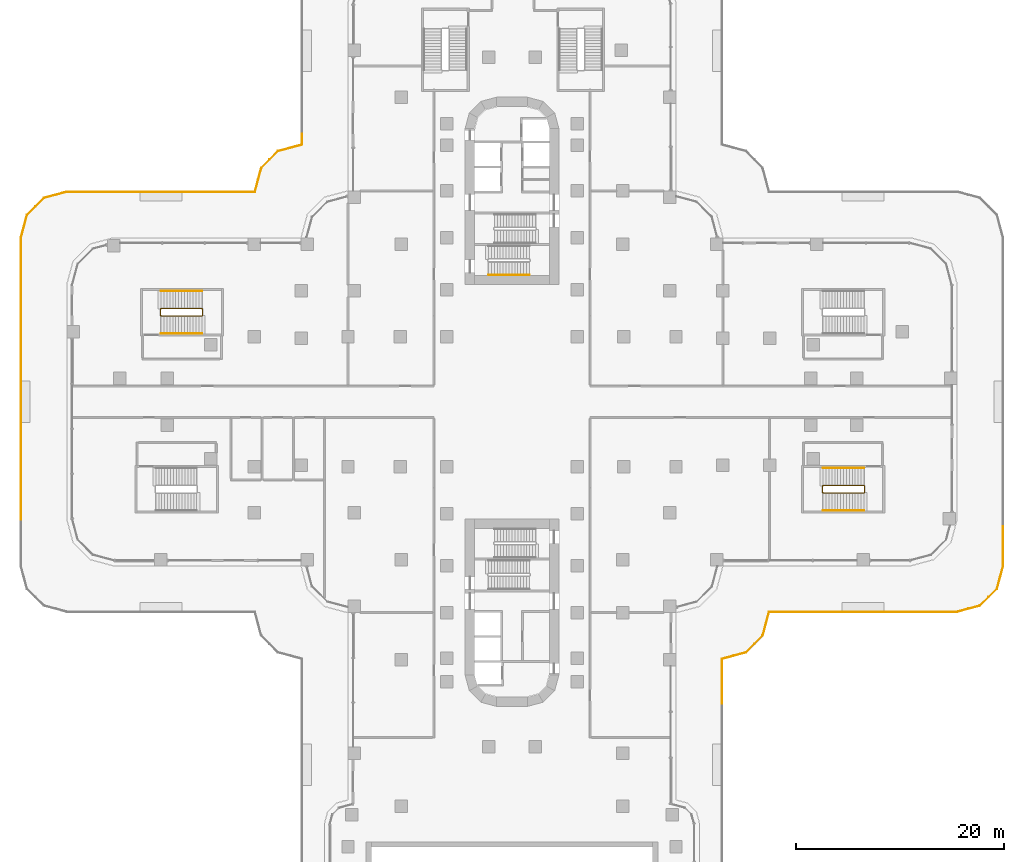
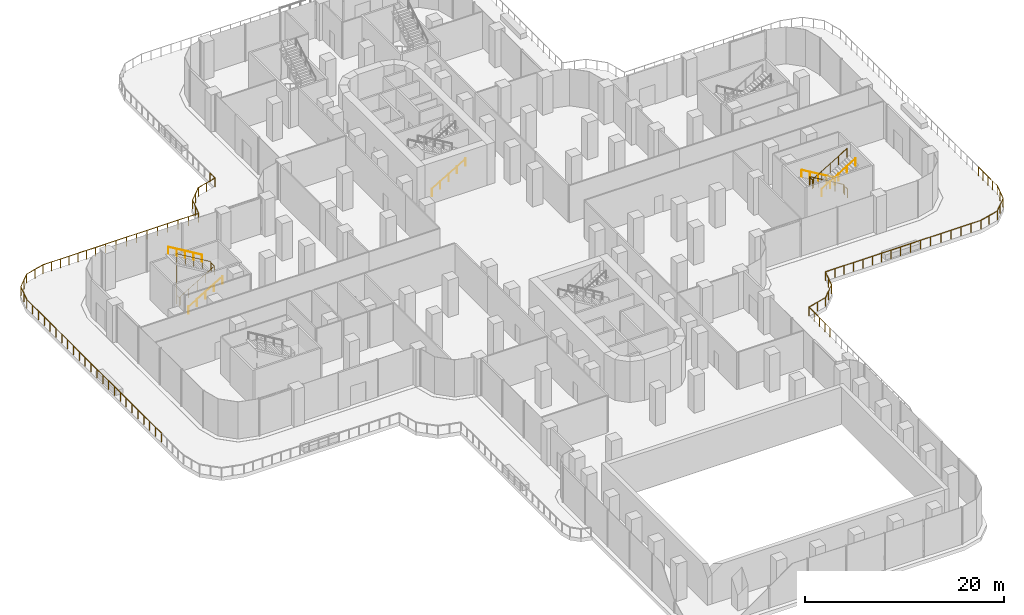
# One storey, part 24 of 27: 12 railings.
"""IFC4 building model written with IfcOpenShell, lengths in metres."""

from ifc_helpers import new_model, si_unit, direction, frame, origin, origin_2d, place, context, subcontext, project, spatial, circle, extrude, material, type_object, element, save


model = new_model("IFC4")

# Units and contexts
model_context = context("Model", 3, precision=1e-05, world=origin(), true_north=direction((0.0, 1.0)))
body_context = subcontext(model_context, "Body", "Model", "MODEL_VIEW")
ifc_project = project(units=[si_unit("LENGTHUNIT", "METRE"), si_unit("AREAUNIT", "SQUARE_METRE"), si_unit("VOLUMEUNIT", "CUBIC_METRE"), si_unit("PLANEANGLEUNIT", "RADIAN"), si_unit("MASSUNIT", "GRAM", prefix="KILO")], contexts=[model_context])

# Site, building, storey
site_placement = place(None, origin())
site = spatial("IfcSite", under=ifc_project, at=site_placement, CompositionType="ELEMENT")
building_placement = place(site_placement, origin())
building = spatial("IfcBuilding", under=site, at=building_placement, Name="Zarbagh Exchange Tower", CompositionType="ELEMENT")
storey_placement = place(building_placement, frame((0.0, 0.0, 17.0)))
storey = spatial("IfcBuildingStorey", under=building, at=storey_placement, Name="L03", CompositionType="ELEMENT", Elevation=17.0)

# Railings
ifc_material_1 = material(Name="Stainless steel", Category="steel")
railing_type_1 = type_object("IfcRailingType", Name="Stair guard 1100 mm", PredefinedType="GUARDRAIL", material=ifc_material_1)
railing_1_placement = place(storey_placement, frame((-29.72998046875, 8.300048828125, 2.5)))
element("IfcRailing", 1, at=railing_1_placement, inside=storey, type_object=railing_type_1, Name="PS5 stair guard 1", PredefinedType="GUARDRAIL", context=body_context, shape_type="SweptSolid", body=[
    extrude(circle(Radius=0.02392578125, at=origin_2d()), frame((0.0, 0.0, 1.076171875), z_axis=(0.0, 1.0, 0.0), x_axis=(-1.0, 0.0, 0.0)), (0.0, 0.0, 1.0), 0.599853515625),
    extrude(circle(Radius=0.02392578125, at=origin_2d()), frame((0.0, 0.599853515625, 1.076171875), z_axis=(-0.27628659633, 0.27628659633, 0.920506074601), x_axis=(-0.707106781187, -0.707106781187, 0.0)), (0.0, 0.0, 1.0), 0.18115234375),
    extrude(circle(Radius=0.02392578125, at=origin_2d()), frame((-0.050048828125, 0.64990234375, 1.24267578125), z_axis=(-0.859296244711, 0.0, 0.511478214419), x_axis=(0.0, -1.0, 0.0)), (0.0, 0.0, 1.0), 4.561767578125),
    extrude(circle(Radius=0.02392578125, at=origin_2d()), frame((-3.969970703125, 0.64990234375, 3.576171875), z_axis=(-0.010008762843, -0.010008762843, -0.999899819648), x_axis=(0.707106781187, -0.707106781187, 0.0)), (0.0, 0.0, 1.0), 5.00048828125),
    extrude(circle(Radius=0.02392578125, at=origin_2d()), frame((-4.02001953125, 0.599853515625, -1.423828125), z_axis=(0.0, -1.0, 0.0), x_axis=(1.0, 0.0, 0.0)), (0.0, 0.0, 1.0), 0.599853515625),
    extrude(circle(Radius=0.02392578125, at=origin_2d()), frame((-4.02001953125, 0.0, -1.423828125), z_axis=(0.27628659633, -0.27628659633, 0.920506074601), x_axis=(0.707106781187, 0.707106781187, 0.0)), (0.0, 0.0, 1.0), 0.18115234375),
    extrude(circle(Radius=0.02392578125, at=origin_2d()), frame((-3.969970703125, -0.050048828125, -1.25732421875), z_axis=(0.859296244711, 0.0, 0.511478214419), x_axis=(0.0, 1.0, 0.0)), (0.0, 0.0, 1.0), 4.561767578125),
    extrude(circle(Radius=0.02099609375, at=origin_2d()), origin(), (0.0, 0.0, 1.0), 1.052001953125),
    extrude(circle(Radius=0.02099609375, at=origin_2d()), frame((0.0, 0.599853515625, 0.0)), (0.0, 0.0, 1.0), 1.052001953125),
    extrude(circle(Radius=0.02099609375, at=origin_2d()), frame((-0.050048828125, 0.64990234375, 0.166748046875)), (0.0, 0.0, 1.0), 1.052001953125),
    extrude(circle(Radius=0.02099609375, at=origin_2d()), frame((-1.030029296875, 0.64990234375, 0.75)), (0.0, 0.0, 1.0), 1.052001953125),
    extrude(circle(Radius=0.02099609375, at=origin_2d()), frame((-2.010009765625, 0.64990234375, 1.33349609375)), (0.0, 0.0, 1.0), 1.052001953125),
    extrude(circle(Radius=0.02099609375, at=origin_2d()), frame((-2.989990234375, 0.64990234375, 1.916748046875)), (0.0, 0.0, 1.0), 1.052001953125),
    extrude(circle(Radius=0.02099609375, at=origin_2d()), frame((-3.969970703125, 0.64990234375, 2.5)), (0.0, 0.0, 1.0), 1.052001953125),
    extrude(circle(Radius=0.02099609375, at=origin_2d()), frame((-3.97998046875, 0.639892578125, 1.5)), (0.0, 0.0, 1.0), 1.052001953125),
    extrude(circle(Radius=0.02099609375, at=origin_2d()), frame((-3.989990234375, 0.6298828125, 0.5)), (0.0, 0.0, 1.0), 1.052001953125),
    extrude(circle(Radius=0.02099609375, at=origin_2d()), frame((-4.0, 0.619873046875, -0.5)), (0.0, 0.0, 1.0), 1.052001953125),
    extrude(circle(Radius=0.02099609375, at=origin_2d()), frame((-4.010009765625, 0.60986328125, -1.5)), (0.0, 0.0, 1.0), 1.052001953125),
    extrude(circle(Radius=0.02099609375, at=origin_2d()), frame((-4.02001953125, 0.599853515625, -2.5)), (0.0, 0.0, 1.0), 1.052001953125),
    extrude(circle(Radius=0.02099609375, at=origin_2d()), frame((-4.02001953125, 0.0, -2.5)), (0.0, 0.0, 1.0), 1.052001953125),
    extrude(circle(Radius=0.02099609375, at=origin_2d()), frame((-3.969970703125, -0.050048828125, -2.333251953125)), (0.0, 0.0, 1.0), 1.052001953125),
    extrude(circle(Radius=0.02099609375, at=origin_2d()), frame((-2.989990234375, -0.050048828125, -1.75)), (0.0, 0.0, 1.0), 1.052001953125),
    extrude(circle(Radius=0.02099609375, at=origin_2d()), frame((-2.010009765625, -0.050048828125, -1.16650390625)), (0.0, 0.0, 1.0), 1.052001953125),
    extrude(circle(Radius=0.02099609375, at=origin_2d()), frame((-1.030029296875, -0.050048828125, -0.583251953125)), (0.0, 0.0, 1.0), 1.052001953125),
    extrude(circle(Radius=0.02099609375, at=origin_2d()), frame((-0.050048828125, -0.050048828125, 0.0)), (0.0, 0.0, 1.0), 1.052001953125),
])
railing_2_placement = place(storey_placement, frame((33.85009765625, -8.699951171875, 0.0)))
element("IfcRailing", 2, at=railing_2_placement, inside=storey, type_object=railing_type_1, Name="PS6 stair guard 1", PredefinedType="GUARDRAIL", context=body_context, shape_type="SweptSolid", body=[
    extrude(circle(Radius=0.02392578125, at=origin_2d()), frame((0.0, 0.0, 1.076171875), z_axis=(0.0, 1.0, 0.0), x_axis=(-1.0, 0.0, 0.0)), (0.0, 0.0, 1.0), 0.599853515625),
    extrude(circle(Radius=0.02392578125, at=origin_2d()), frame((0.0, 0.599853515625, 1.076171875), z_axis=(-0.27628659633, 0.27628659633, 0.920506074601), x_axis=(-0.707106781187, -0.707106781187, 0.0)), (0.0, 0.0, 1.0), 0.18115234375),
    extrude(circle(Radius=0.02392578125, at=origin_2d()), frame((-0.050048828125, 0.64990234375, 1.24267578125), z_axis=(-0.859310244771, 0.0, 0.511454693235), x_axis=(0.0, -1.0, 0.0)), (0.0, 0.0, 1.0), 4.56201171875),
    extrude(circle(Radius=0.02392578125, at=origin_2d()), frame((-3.97021484375, 0.64990234375, 3.576171875), z_axis=(-0.705375805398, -0.708833529934, 0.0), x_axis=(0.708833529934, -0.705375805398, 0.0)), (0.0, 0.0, 1.0), 0.070556640625),
    extrude(circle(Radius=0.02392578125, at=origin_2d()), frame((-4.02001953125, 0.599853515625, 3.576171875), z_axis=(0.0, -1.0, 0.0), x_axis=(1.0, 0.0, 0.0)), (0.0, 0.0, 1.0), 0.599853515625),
    extrude(circle(Radius=0.02392578125, at=origin_2d()), frame((-4.02001953125, 0.0, 3.576171875), z_axis=(0.275041040955, -0.276389281352, 0.920848191041), x_axis=(0.708833529934, 0.705375805398, 0.0)), (0.0, 0.0, 1.0), 0.18115234375),
    extrude(circle(Radius=0.02392578125, at=origin_2d()), frame((-3.97021484375, -0.050048828125, 3.74267578125), z_axis=(0.859310244771, 0.0, 0.511454693235), x_axis=(0.0, 1.0, 0.0)), (0.0, 0.0, 1.0), 4.56201171875),
    extrude(circle(Radius=0.02099609375, at=origin_2d()), origin(), (0.0, 0.0, 1.0), 1.052001953125),
    extrude(circle(Radius=0.02099609375, at=origin_2d()), frame((0.0, 0.599853515625, 0.0)), (0.0, 0.0, 1.0), 1.052001953125),
    extrude(circle(Radius=0.02099609375, at=origin_2d()), frame((-0.050048828125, 0.64990234375, 0.166748046875)), (0.0, 0.0, 1.0), 1.052001953125),
    extrude(circle(Radius=0.02099609375, at=origin_2d()), frame((-1.030029296875, 0.64990234375, 0.75)), (0.0, 0.0, 1.0), 1.052001953125),
    extrude(circle(Radius=0.02099609375, at=origin_2d()), frame((-2.01025390625, 0.64990234375, 1.33349609375)), (0.0, 0.0, 1.0), 1.052001953125),
    extrude(circle(Radius=0.02099609375, at=origin_2d()), frame((-2.990234375, 0.64990234375, 1.916748046875)), (0.0, 0.0, 1.0), 1.052001953125),
    extrude(circle(Radius=0.02099609375, at=origin_2d()), frame((-3.97021484375, 0.64990234375, 2.5)), (0.0, 0.0, 1.0), 1.052001953125),
    extrude(circle(Radius=0.02099609375, at=origin_2d()), frame((-4.02001953125, 0.599853515625, 2.5)), (0.0, 0.0, 1.0), 1.052001953125),
    extrude(circle(Radius=0.02099609375, at=origin_2d()), frame((-4.02001953125, 0.0, 2.5)), (0.0, 0.0, 1.0), 1.052001953125),
    extrude(circle(Radius=0.02099609375, at=origin_2d()), frame((-3.97021484375, -0.050048828125, 2.666748046875)), (0.0, 0.0, 1.0), 1.052001953125),
    extrude(circle(Radius=0.02099609375, at=origin_2d()), frame((-2.990234375, -0.050048828125, 3.25)), (0.0, 0.0, 1.0), 1.052001953125),
    extrude(circle(Radius=0.02099609375, at=origin_2d()), frame((-2.01025390625, -0.050048828125, 3.83349609375)), (0.0, 0.0, 1.0), 1.052001953125),
    extrude(circle(Radius=0.02099609375, at=origin_2d()), frame((-1.030029296875, -0.050048828125, 4.416748046875)), (0.0, 0.0, 1.0), 1.052001953125),
    extrude(circle(Radius=0.02099609375, at=origin_2d()), frame((-0.050048828125, -0.050048828125, 5.0)), (0.0, 0.0, 1.0), 1.052001953125),
])
railing_type_2 = type_object("IfcRailingType", Name="Stair handrail 900 mm", PredefinedType="HANDRAIL", material=ifc_material_1)
for number, where, name in (
    (3, (-2.25, 12.199951171875, 0.166748046875), "ST2 stair handrail 1"),
    (4, (-33.699951171875, 6.550048828125, 0.166748046875), "PS5 stair handrail 1"),
):
    element("IfcRailing", number, at=place(storey_placement, frame(where)), inside=storey, type_object=railing_type_2, Name=name, PredefinedType="HANDRAIL", context=body_context, shape_type="SweptSolid", body=[
        extrude(circle(Radius=0.02392578125, at=origin_2d()), frame((0.0, 0.0, 0.8759765625), z_axis=(0.859296244711, 0.0, 0.511478214419), x_axis=(0.0, 1.0, 0.0)), (0.0, 0.0, 1.0), 4.561767578125),
        extrude(circle(Radius=0.02099609375, at=origin_2d()), origin(), (0.0, 0.0, 1.0), 0.851806640625),
        extrude(circle(Radius=0.02099609375, at=origin_2d()), frame((0.97998046875, 0.0, 0.583251953125)), (0.0, 0.0, 1.0), 0.851806640625),
        extrude(circle(Radius=0.02099609375, at=origin_2d()), frame((1.9599609375, 0.0, 1.16650390625)), (0.0, 0.0, 1.0), 0.851806640625),
        extrude(circle(Radius=0.02099609375, at=origin_2d()), frame((2.93994140625, 0.0, 1.75)), (0.0, 0.0, 1.0), 0.851806640625),
        extrude(circle(Radius=0.02099609375, at=origin_2d()), frame((3.919921875, 0.0, 2.333251953125)), (0.0, 0.0, 1.0), 0.851806640625),
    ])
railing_3_placement = place(storey_placement, frame((-29.780029296875, 10.64990234375, 2.666748046875)))
element("IfcRailing", 5, at=railing_3_placement, inside=storey, type_object=railing_type_2, Name="PS5 stair handrail 2", PredefinedType="HANDRAIL", context=body_context, shape_type="SweptSolid", body=[
    extrude(circle(Radius=0.02392578125, at=origin_2d()), frame((0.0, 0.0, 0.8759765625), z_axis=(-0.859296244711, 0.0, 0.511478214419), x_axis=(0.0, -1.0, 0.0)), (0.0, 0.0, 1.0), 4.561767578125),
    extrude(circle(Radius=0.02099609375, at=origin_2d()), origin(), (0.0, 0.0, 1.0), 0.851806640625),
    extrude(circle(Radius=0.02099609375, at=origin_2d()), frame((-0.97998046875, 0.0, 0.583251953125)), (0.0, 0.0, 1.0), 0.851806640625),
    extrude(circle(Radius=0.02099609375, at=origin_2d()), frame((-1.9599609375, 0.0, 1.16650390625)), (0.0, 0.0, 1.0), 0.851806640625),
    extrude(circle(Radius=0.02099609375, at=origin_2d()), frame((-2.93994140625, 0.0, 1.75)), (0.0, 0.0, 1.0), 0.851806640625),
    extrude(circle(Radius=0.02099609375, at=origin_2d()), frame((-3.919921875, 0.0, 2.333251953125)), (0.0, 0.0, 1.0), 0.851806640625),
])
railing_4_placement = place(storey_placement, frame((33.800048828125, -6.35009765625, 0.166748046875)))
element("IfcRailing", 6, at=railing_4_placement, inside=storey, type_object=railing_type_2, Name="PS6 stair handrail 1", PredefinedType="HANDRAIL", context=body_context, shape_type="SweptSolid", body=[
    extrude(circle(Radius=0.02392578125, at=origin_2d()), frame((0.0, 0.0, 0.8759765625), z_axis=(-0.859310244771, 0.0, 0.511454693235), x_axis=(0.0, -1.0, 0.0)), (0.0, 0.0, 1.0), 4.56201171875),
    extrude(circle(Radius=0.02099609375, at=origin_2d()), origin(), (0.0, 0.0, 1.0), 0.851806640625),
    extrude(circle(Radius=0.02099609375, at=origin_2d()), frame((-0.97998046875, 0.0, 0.583251953125)), (0.0, 0.0, 1.0), 0.851806640625),
    extrude(circle(Radius=0.02099609375, at=origin_2d()), frame((-1.9599609375, 0.0, 1.16650390625)), (0.0, 0.0, 1.0), 0.851806640625),
    extrude(circle(Radius=0.02099609375, at=origin_2d()), frame((-2.940185546875, 0.0, 1.75)), (0.0, 0.0, 1.0), 0.851806640625),
    extrude(circle(Radius=0.02099609375, at=origin_2d()), frame((-3.920166015625, 0.0, 2.333251953125)), (0.0, 0.0, 1.0), 0.851806640625),
])
railing_5_placement = place(storey_placement, frame((29.8798828125, -10.449951171875, 2.666748046875)))
element("IfcRailing", 7, at=railing_5_placement, inside=storey, type_object=railing_type_2, Name="PS6 stair handrail 2", PredefinedType="HANDRAIL", context=body_context, shape_type="SweptSolid", body=[
    extrude(circle(Radius=0.02392578125, at=origin_2d()), frame((0.0, 0.0, 0.8759765625), z_axis=(0.859310244771, 0.0, 0.511454693235), x_axis=(0.0, 1.0, 0.0)), (0.0, 0.0, 1.0), 4.56201171875),
    extrude(circle(Radius=0.02099609375, at=origin_2d()), origin(), (0.0, 0.0, 1.0), 0.851806640625),
    extrude(circle(Radius=0.02099609375, at=origin_2d()), frame((0.97998046875, 0.0, 0.583251953125)), (0.0, 0.0, 1.0), 0.851806640625),
    extrude(circle(Radius=0.02099609375, at=origin_2d()), frame((1.9599609375, 0.0, 1.16650390625)), (0.0, 0.0, 1.0), 0.851806640625),
    extrude(circle(Radius=0.02099609375, at=origin_2d()), frame((2.940185546875, 0.0, 1.75)), (0.0, 0.0, 1.0), 0.851806640625),
    extrude(circle(Radius=0.02099609375, at=origin_2d()), frame((3.920166015625, 0.0, 2.333251953125)), (0.0, 0.0, 1.0), 0.851806640625),
])
ifc_material_2 = material(Name="Stainless steel and laminated glass", Category="steel")
railing_type_3 = type_object("IfcRailingType", Name="Terrace guard, glass balustrade 1.1 m", PredefinedType="GUARDRAIL", material=ifc_material_2)
railing_6_placement = place(storey_placement, frame((-47.169921875, -11.291259765625, 0.0)))
element("IfcRailing", 8, at=railing_6_placement, inside=storey, type_object=railing_type_3, Name="TG01 terrace guard", PredefinedType="GUARDRAIL", context=body_context, shape_type="SweptSolid", body=[
    extrude(circle(Radius=0.02490234375, at=origin_2d()), frame((0.0, 0.0, 1.0751953125), z_axis=(0.0, 1.0, 0.0), x_axis=(-1.0, 0.0, 0.0)), (0.0, 0.0, 1.0), 20.0),
    extrude(circle(Radius=0.02490234375, at=origin_2d()), origin(), (0.0, 0.0, 1.0), 1.050048828125),
    extrude(circle(Radius=0.02490234375, at=origin_2d()), frame((0.0, 1.176513671875, 0.0)), (0.0, 0.0, 1.0), 1.050048828125),
    extrude(circle(Radius=0.02490234375, at=origin_2d()), frame((0.0, 2.35302734375, 0.0)), (0.0, 0.0, 1.0), 1.050048828125),
    extrude(circle(Radius=0.02490234375, at=origin_2d()), frame((0.0, 3.529296875, 0.0)), (0.0, 0.0, 1.0), 1.050048828125),
    extrude(circle(Radius=0.02490234375, at=origin_2d()), frame((0.0, 4.705810546875, 0.0)), (0.0, 0.0, 1.0), 1.050048828125),
    extrude(circle(Radius=0.02490234375, at=origin_2d()), frame((0.0, 5.88232421875, 0.0)), (0.0, 0.0, 1.0), 1.050048828125),
    extrude(circle(Radius=0.02490234375, at=origin_2d()), frame((0.0, 7.058837890625, 0.0)), (0.0, 0.0, 1.0), 1.050048828125),
    extrude(circle(Radius=0.02490234375, at=origin_2d()), frame((0.0, 8.2353515625, 0.0)), (0.0, 0.0, 1.0), 1.050048828125),
    extrude(circle(Radius=0.02490234375, at=origin_2d()), frame((0.0, 9.411865234375, 0.0)), (0.0, 0.0, 1.0), 1.050048828125),
    extrude(circle(Radius=0.02490234375, at=origin_2d()), frame((0.0, 10.588134765625, 0.0)), (0.0, 0.0, 1.0), 1.050048828125),
    extrude(circle(Radius=0.02490234375, at=origin_2d()), frame((0.0, 11.7646484375, 0.0)), (0.0, 0.0, 1.0), 1.050048828125),
    extrude(circle(Radius=0.02490234375, at=origin_2d()), frame((0.0, 12.941162109375, 0.0)), (0.0, 0.0, 1.0), 1.050048828125),
    extrude(circle(Radius=0.02490234375, at=origin_2d()), frame((0.0, 14.11767578125, 0.0)), (0.0, 0.0, 1.0), 1.050048828125),
    extrude(circle(Radius=0.02490234375, at=origin_2d()), frame((0.0, 15.294189453125, 0.0)), (0.0, 0.0, 1.0), 1.050048828125),
    extrude(circle(Radius=0.02490234375, at=origin_2d()), frame((0.0, 16.470703125, 0.0)), (0.0, 0.0, 1.0), 1.050048828125),
    extrude(circle(Radius=0.02490234375, at=origin_2d()), frame((0.0, 17.64697265625, 0.0)), (0.0, 0.0, 1.0), 1.050048828125),
    extrude(circle(Radius=0.02490234375, at=origin_2d()), frame((0.0, 18.823486328125, 0.0)), (0.0, 0.0, 1.0), 1.050048828125),
    extrude(circle(Radius=0.02490234375, at=origin_2d()), frame((0.0, 20.0, 0.0)), (0.0, 0.0, 1.0), 1.050048828125),
])
railing_7_placement = place(storey_placement, frame((-47.169921875, 8.708740234375, 0.0)))
element("IfcRailing", 9, at=railing_7_placement, inside=storey, type_object=railing_type_3, Name="TG01 terrace guard", PredefinedType="GUARDRAIL", context=body_context, shape_type="SweptSolid", body=[
    extrude(circle(Radius=0.02490234375, at=origin_2d()), frame((0.0, 0.0, 1.0751953125), z_axis=(0.0, 1.0, 0.0), x_axis=(-1.0, 0.0, 0.0)), (0.0, 0.0, 1.0), 7.03076171875),
    extrude(circle(Radius=0.02490234375, at=origin_2d()), frame((0.0, 7.03076171875, 1.0751953125), z_axis=(0.258780353152, 0.965936192935, 0.0), x_axis=(-0.965936192935, 0.258780353152, 0.0)), (0.0, 0.0, 1.0), 2.29736328125),
    extrude(circle(Radius=0.02490234375, at=origin_2d()), frame((0.594482421875, 9.249755859375, 1.0751953125), z_axis=(0.707106781187, 0.707106781187, 0.0), x_axis=(-0.707106781187, 0.707106781187, 0.0)), (0.0, 0.0, 1.0), 2.28662109375),
    extrude(circle(Radius=0.02490234375, at=origin_2d()), frame((2.21142578125, 10.86669921875, 1.0751953125), z_axis=(0.965936192935, 0.258780353152, 0.0), x_axis=(-0.258780353152, 0.965936192935, 0.0)), (0.0, 0.0, 1.0), 2.29736328125),
    extrude(circle(Radius=0.02490234375, at=origin_2d()), frame((4.430419921875, 11.461181640625, 1.0751953125), z_axis=(1.0, 0.0, 0.0), x_axis=(0.0, 1.0, 0.0)), (0.0, 0.0, 1.0), 6.088134765625),
    extrude(circle(Radius=0.02490234375, at=origin_2d()), origin(), (0.0, 0.0, 1.0), 1.050048828125),
    extrude(circle(Radius=0.02490234375, at=origin_2d()), frame((0.0, 1.171875, 0.0)), (0.0, 0.0, 1.0), 1.050048828125),
    extrude(circle(Radius=0.02490234375, at=origin_2d()), frame((0.0, 2.343505859375, 0.0)), (0.0, 0.0, 1.0), 1.050048828125),
    extrude(circle(Radius=0.02490234375, at=origin_2d()), frame((0.0, 3.515380859375, 0.0)), (0.0, 0.0, 1.0), 1.050048828125),
    extrude(circle(Radius=0.02490234375, at=origin_2d()), frame((0.0, 4.687255859375, 0.0)), (0.0, 0.0, 1.0), 1.050048828125),
    extrude(circle(Radius=0.02490234375, at=origin_2d()), frame((0.0, 5.85888671875, 0.0)), (0.0, 0.0, 1.0), 1.050048828125),
    extrude(circle(Radius=0.02490234375, at=origin_2d()), frame((0.0, 7.03076171875, 0.0)), (0.0, 0.0, 1.0), 1.050048828125),
    extrude(circle(Radius=0.02490234375, at=origin_2d()), frame((0.29736328125, 8.14013671875, 0.0)), (0.0, 0.0, 1.0), 1.050048828125),
    extrude(circle(Radius=0.02490234375, at=origin_2d()), frame((0.594482421875, 9.249755859375, 0.0)), (0.0, 0.0, 1.0), 1.050048828125),
    extrude(circle(Radius=0.02490234375, at=origin_2d()), frame((1.40283203125, 10.05810546875, 0.0)), (0.0, 0.0, 1.0), 1.050048828125),
    extrude(circle(Radius=0.02490234375, at=origin_2d()), frame((2.21142578125, 10.86669921875, 0.0)), (0.0, 0.0, 1.0), 1.050048828125),
    extrude(circle(Radius=0.02490234375, at=origin_2d()), frame((3.32080078125, 11.1640625, 0.0)), (0.0, 0.0, 1.0), 1.050048828125),
    extrude(circle(Radius=0.02490234375, at=origin_2d()), frame((4.430419921875, 11.461181640625, 0.0)), (0.0, 0.0, 1.0), 1.050048828125),
    extrude(circle(Radius=0.02490234375, at=origin_2d()), frame((5.445068359375, 11.461181640625, 0.0)), (0.0, 0.0, 1.0), 1.050048828125),
    extrude(circle(Radius=0.02490234375, at=origin_2d()), frame((6.459716796875, 11.461181640625, 0.0)), (0.0, 0.0, 1.0), 1.050048828125),
    extrude(circle(Radius=0.02490234375, at=origin_2d()), frame((7.474609375, 11.461181640625, 0.0)), (0.0, 0.0, 1.0), 1.050048828125),
    extrude(circle(Radius=0.02490234375, at=origin_2d()), frame((8.4892578125, 11.461181640625, 0.0)), (0.0, 0.0, 1.0), 1.050048828125),
    extrude(circle(Radius=0.02490234375, at=origin_2d()), frame((9.50390625, 11.461181640625, 0.0)), (0.0, 0.0, 1.0), 1.050048828125),
    extrude(circle(Radius=0.02490234375, at=origin_2d()), frame((10.5185546875, 11.461181640625, 0.0)), (0.0, 0.0, 1.0), 1.050048828125),
])
railing_8_placement = place(storey_placement, frame((-36.6513671875, 20.169921875, 0.0)))
element("IfcRailing", 10, at=railing_8_placement, inside=storey, type_object=railing_type_3, Name="TG01 terrace guard", PredefinedType="GUARDRAIL", context=body_context, shape_type="SweptSolid", body=[
    extrude(circle(Radius=0.02490234375, at=origin_2d()), frame((0.0, 0.0, 1.0751953125), z_axis=(1.0, 0.0, 0.0), x_axis=(0.0, 1.0, 0.0)), (0.0, 0.0, 1.0), 11.962646484375),
    extrude(circle(Radius=0.02490234375, at=origin_2d()), frame((11.962646484375, 0.0, 1.0751953125), z_axis=(0.258842529128, 0.965919533457, 0.0), x_axis=(-0.965919533457, 0.258842529128, 0.0)), (0.0, 0.0, 1.0), 2.369384765625),
    extrude(circle(Radius=0.02490234375, at=origin_2d()), frame((12.575927734375, 2.28857421875, 1.0751953125), z_axis=(0.707106781187, 0.707106781187, 0.0), x_axis=(-0.707106781187, 0.707106781187, 0.0)), (0.0, 0.0, 1.0), 2.28662109375),
    extrude(circle(Radius=0.02490234375, at=origin_2d()), frame((14.19287109375, 3.905517578125, 1.0751953125), z_axis=(0.965919533457, 0.258842529128, 0.0), x_axis=(-0.258842529128, 0.965919533457, 0.0)), (0.0, 0.0, 1.0), 2.369384765625),
    extrude(circle(Radius=0.02490234375, at=origin_2d()), frame((16.4814453125, 4.518798828125, 1.0751953125), z_axis=(0.0, 1.0, 0.0), x_axis=(-1.0, 0.0, 0.0)), (0.0, 0.0, 1.0), 1.011962890625),
    extrude(circle(Radius=0.02490234375, at=origin_2d()), origin(), (0.0, 0.0, 1.0), 1.050048828125),
    extrude(circle(Radius=0.02490234375, at=origin_2d()), frame((1.1962890625, 0.0, 0.0)), (0.0, 0.0, 1.0), 1.050048828125),
    extrude(circle(Radius=0.02490234375, at=origin_2d()), frame((2.392578125, 0.0, 0.0)), (0.0, 0.0, 1.0), 1.050048828125),
    extrude(circle(Radius=0.02490234375, at=origin_2d()), frame((3.5888671875, 0.0, 0.0)), (0.0, 0.0, 1.0), 1.050048828125),
    extrude(circle(Radius=0.02490234375, at=origin_2d()), frame((4.78515625, 0.0, 0.0)), (0.0, 0.0, 1.0), 1.050048828125),
    extrude(circle(Radius=0.02490234375, at=origin_2d()), frame((5.9814453125, 0.0, 0.0)), (0.0, 0.0, 1.0), 1.050048828125),
    extrude(circle(Radius=0.02490234375, at=origin_2d()), frame((7.177490234375, 0.0, 0.0)), (0.0, 0.0, 1.0), 1.050048828125),
    extrude(circle(Radius=0.02490234375, at=origin_2d()), frame((8.373779296875, 0.0, 0.0)), (0.0, 0.0, 1.0), 1.050048828125),
    extrude(circle(Radius=0.02490234375, at=origin_2d()), frame((9.570068359375, 0.0, 0.0)), (0.0, 0.0, 1.0), 1.050048828125),
    extrude(circle(Radius=0.02490234375, at=origin_2d()), frame((10.766357421875, 0.0, 0.0)), (0.0, 0.0, 1.0), 1.050048828125),
    extrude(circle(Radius=0.02490234375, at=origin_2d()), frame((11.962646484375, 0.0, 0.0)), (0.0, 0.0, 1.0), 1.050048828125),
    extrude(circle(Radius=0.02490234375, at=origin_2d()), frame((12.269287109375, 1.144287109375, 0.0)), (0.0, 0.0, 1.0), 1.050048828125),
    extrude(circle(Radius=0.02490234375, at=origin_2d()), frame((12.575927734375, 2.28857421875, 0.0)), (0.0, 0.0, 1.0), 1.050048828125),
    extrude(circle(Radius=0.02490234375, at=origin_2d()), frame((13.38427734375, 3.09716796875, 0.0)), (0.0, 0.0, 1.0), 1.050048828125),
    extrude(circle(Radius=0.02490234375, at=origin_2d()), frame((14.19287109375, 3.905517578125, 0.0)), (0.0, 0.0, 1.0), 1.050048828125),
    extrude(circle(Radius=0.02490234375, at=origin_2d()), frame((15.337158203125, 4.212158203125, 0.0)), (0.0, 0.0, 1.0), 1.050048828125),
    extrude(circle(Radius=0.02490234375, at=origin_2d()), frame((16.4814453125, 4.518798828125, 0.0)), (0.0, 0.0, 1.0), 1.050048828125),
    extrude(circle(Radius=0.02490234375, at=origin_2d()), frame((16.4814453125, 5.53076171875, 0.0)), (0.0, 0.0, 1.0), 1.050048828125),
])
railing_9_placement = place(storey_placement, frame((47.169921875, -11.97216796875, 0.0)))
element("IfcRailing", 11, at=railing_9_placement, inside=storey, type_object=railing_type_3, Name="TG01 terrace guard", PredefinedType="GUARDRAIL", context=body_context, shape_type="SweptSolid", body=[
    extrude(circle(Radius=0.02490234375, at=origin_2d()), frame((0.0, 0.0, 1.0751953125), z_axis=(0.0, -1.0, 0.0), x_axis=(1.0, 0.0, 0.0)), (0.0, 0.0, 1.0), 3.767333984375),
    extrude(circle(Radius=0.02490234375, at=origin_2d()), frame((0.0, -3.767333984375, 1.0751953125), z_axis=(-0.258780353152, -0.965936192935, 0.0), x_axis=(0.965936192935, -0.258780353152, 0.0)), (0.0, 0.0, 1.0), 2.29736328125),
    extrude(circle(Radius=0.02490234375, at=origin_2d()), frame((-0.594482421875, -5.986328125, 1.0751953125), z_axis=(-0.707106781187, -0.707106781187, 0.0), x_axis=(0.707106781187, -0.707106781187, 0.0)), (0.0, 0.0, 1.0), 2.28662109375),
    extrude(circle(Radius=0.02490234375, at=origin_2d()), frame((-2.21142578125, -7.603271484375, 1.0751953125), z_axis=(-0.965936192935, -0.258780353152, 0.0), x_axis=(0.258780353152, -0.965936192935, 0.0)), (0.0, 0.0, 1.0), 2.29736328125),
    extrude(circle(Radius=0.02490234375, at=origin_2d()), frame((-4.430419921875, -8.19775390625, 1.0751953125), z_axis=(-1.0, 0.0, 0.0), x_axis=(0.0, -1.0, 0.0)), (0.0, 0.0, 1.0), 9.351318359375),
    extrude(circle(Radius=0.02490234375, at=origin_2d()), origin(), (0.0, 0.0, 1.0), 1.050048828125),
    extrude(circle(Radius=0.02490234375, at=origin_2d()), frame((0.0, -0.94189453125, 0.0)), (0.0, 0.0, 1.0), 1.050048828125),
    extrude(circle(Radius=0.02490234375, at=origin_2d()), frame((0.0, -1.8837890625, 0.0)), (0.0, 0.0, 1.0), 1.050048828125),
    extrude(circle(Radius=0.02490234375, at=origin_2d()), frame((0.0, -2.825439453125, 0.0)), (0.0, 0.0, 1.0), 1.050048828125),
    extrude(circle(Radius=0.02490234375, at=origin_2d()), frame((0.0, -3.767333984375, 0.0)), (0.0, 0.0, 1.0), 1.050048828125),
    extrude(circle(Radius=0.02490234375, at=origin_2d()), frame((-0.29736328125, -4.876953125, 0.0)), (0.0, 0.0, 1.0), 1.050048828125),
    extrude(circle(Radius=0.02490234375, at=origin_2d()), frame((-0.594482421875, -5.986328125, 0.0)), (0.0, 0.0, 1.0), 1.050048828125),
    extrude(circle(Radius=0.02490234375, at=origin_2d()), frame((-1.40283203125, -6.794921875, 0.0)), (0.0, 0.0, 1.0), 1.050048828125),
    extrude(circle(Radius=0.02490234375, at=origin_2d()), frame((-2.21142578125, -7.603271484375, 0.0)), (0.0, 0.0, 1.0), 1.050048828125),
    extrude(circle(Radius=0.02490234375, at=origin_2d()), frame((-3.32080078125, -7.900390625, 0.0)), (0.0, 0.0, 1.0), 1.050048828125),
    extrude(circle(Radius=0.02490234375, at=origin_2d()), frame((-4.430419921875, -8.19775390625, 0.0)), (0.0, 0.0, 1.0), 1.050048828125),
    extrude(circle(Radius=0.02490234375, at=origin_2d()), frame((-5.599365234375, -8.19775390625, 0.0)), (0.0, 0.0, 1.0), 1.050048828125),
    extrude(circle(Radius=0.02490234375, at=origin_2d()), frame((-6.768310546875, -8.19775390625, 0.0)), (0.0, 0.0, 1.0), 1.050048828125),
    extrude(circle(Radius=0.02490234375, at=origin_2d()), frame((-7.937255859375, -8.19775390625, 0.0)), (0.0, 0.0, 1.0), 1.050048828125),
    extrude(circle(Radius=0.02490234375, at=origin_2d()), frame((-9.10595703125, -8.19775390625, 0.0)), (0.0, 0.0, 1.0), 1.050048828125),
    extrude(circle(Radius=0.02490234375, at=origin_2d()), frame((-10.27490234375, -8.19775390625, 0.0)), (0.0, 0.0, 1.0), 1.050048828125),
    extrude(circle(Radius=0.02490234375, at=origin_2d()), frame((-11.44384765625, -8.19775390625, 0.0)), (0.0, 0.0, 1.0), 1.050048828125),
    extrude(circle(Radius=0.02490234375, at=origin_2d()), frame((-12.61279296875, -8.19775390625, 0.0)), (0.0, 0.0, 1.0), 1.050048828125),
    extrude(circle(Radius=0.02490234375, at=origin_2d()), frame((-13.78173828125, -8.19775390625, 0.0)), (0.0, 0.0, 1.0), 1.050048828125),
])
railing_10_placement = place(storey_placement, frame((33.38818359375, -20.169921875, 0.0)))
element("IfcRailing", 12, at=railing_10_placement, inside=storey, type_object=railing_type_3, Name="TG01 terrace guard", PredefinedType="GUARDRAIL", context=body_context, shape_type="SweptSolid", body=[
    extrude(circle(Radius=0.02490234375, at=origin_2d()), frame((0.0, 0.0, 1.0751953125), z_axis=(-1.0, 0.0, 0.0), x_axis=(0.0, -1.0, 0.0)), (0.0, 0.0, 1.0), 8.699462890625),
    extrude(circle(Radius=0.02490234375, at=origin_2d()), frame((-8.699462890625, 0.0, 1.0751953125), z_axis=(-0.258842529128, -0.965919533457, 0.0), x_axis=(0.965919533457, -0.258842529128, 0.0)), (0.0, 0.0, 1.0), 2.369384765625),
    extrude(circle(Radius=0.02490234375, at=origin_2d()), frame((-9.312744140625, -2.28857421875, 1.0751953125), z_axis=(-0.707106781187, -0.707106781187, 0.0), x_axis=(0.707106781187, -0.707106781187, 0.0)), (0.0, 0.0, 1.0), 2.28662109375),
    extrude(circle(Radius=0.02490234375, at=origin_2d()), frame((-10.9296875, -3.905517578125, 1.0751953125), z_axis=(-0.965919533457, -0.258842529128, 0.0), x_axis=(0.258842529128, -0.965919533457, 0.0)), (0.0, 0.0, 1.0), 2.369384765625),
    extrude(circle(Radius=0.02490234375, at=origin_2d()), frame((-13.21826171875, -4.518798828125, 1.0751953125), z_axis=(0.0, -1.0, 0.0), x_axis=(1.0, 0.0, 0.0)), (0.0, 0.0, 1.0), 4.275146484375),
    extrude(circle(Radius=0.02490234375, at=origin_2d()), origin(), (0.0, 0.0, 1.0), 1.050048828125),
    extrude(circle(Radius=0.02490234375, at=origin_2d()), frame((-1.08740234375, 0.0, 0.0)), (0.0, 0.0, 1.0), 1.050048828125),
    extrude(circle(Radius=0.02490234375, at=origin_2d()), frame((-2.1748046875, 0.0, 0.0)), (0.0, 0.0, 1.0), 1.050048828125),
    extrude(circle(Radius=0.02490234375, at=origin_2d()), frame((-3.26220703125, 0.0, 0.0)), (0.0, 0.0, 1.0), 1.050048828125),
    extrude(circle(Radius=0.02490234375, at=origin_2d()), frame((-4.349609375, 0.0, 0.0)), (0.0, 0.0, 1.0), 1.050048828125),
    extrude(circle(Radius=0.02490234375, at=origin_2d()), frame((-5.437255859375, 0.0, 0.0)), (0.0, 0.0, 1.0), 1.050048828125),
    extrude(circle(Radius=0.02490234375, at=origin_2d()), frame((-6.524658203125, 0.0, 0.0)), (0.0, 0.0, 1.0), 1.050048828125),
    extrude(circle(Radius=0.02490234375, at=origin_2d()), frame((-7.612060546875, 0.0, 0.0)), (0.0, 0.0, 1.0), 1.050048828125),
    extrude(circle(Radius=0.02490234375, at=origin_2d()), frame((-8.699462890625, 0.0, 0.0)), (0.0, 0.0, 1.0), 1.050048828125),
    extrude(circle(Radius=0.02490234375, at=origin_2d()), frame((-9.006103515625, -1.144287109375, 0.0)), (0.0, 0.0, 1.0), 1.050048828125),
    extrude(circle(Radius=0.02490234375, at=origin_2d()), frame((-9.312744140625, -2.28857421875, 0.0)), (0.0, 0.0, 1.0), 1.050048828125),
    extrude(circle(Radius=0.02490234375, at=origin_2d()), frame((-10.12109375, -3.09716796875, 0.0)), (0.0, 0.0, 1.0), 1.050048828125),
    extrude(circle(Radius=0.02490234375, at=origin_2d()), frame((-10.9296875, -3.905517578125, 0.0)), (0.0, 0.0, 1.0), 1.050048828125),
    extrude(circle(Radius=0.02490234375, at=origin_2d()), frame((-12.073974609375, -4.212158203125, 0.0)), (0.0, 0.0, 1.0), 1.050048828125),
    extrude(circle(Radius=0.02490234375, at=origin_2d()), frame((-13.21826171875, -4.518798828125, 0.0)), (0.0, 0.0, 1.0), 1.050048828125),
    extrude(circle(Radius=0.02490234375, at=origin_2d()), frame((-13.21826171875, -5.587646484375, 0.0)), (0.0, 0.0, 1.0), 1.050048828125),
    extrude(circle(Radius=0.02490234375, at=origin_2d()), frame((-13.21826171875, -6.65625, 0.0)), (0.0, 0.0, 1.0), 1.050048828125),
    extrude(circle(Radius=0.02490234375, at=origin_2d()), frame((-13.21826171875, -7.72509765625, 0.0)), (0.0, 0.0, 1.0), 1.050048828125),
    extrude(circle(Radius=0.02490234375, at=origin_2d()), frame((-13.21826171875, -8.7939453125, 0.0)), (0.0, 0.0, 1.0), 1.050048828125),
])

save(model, "model.ifc")
